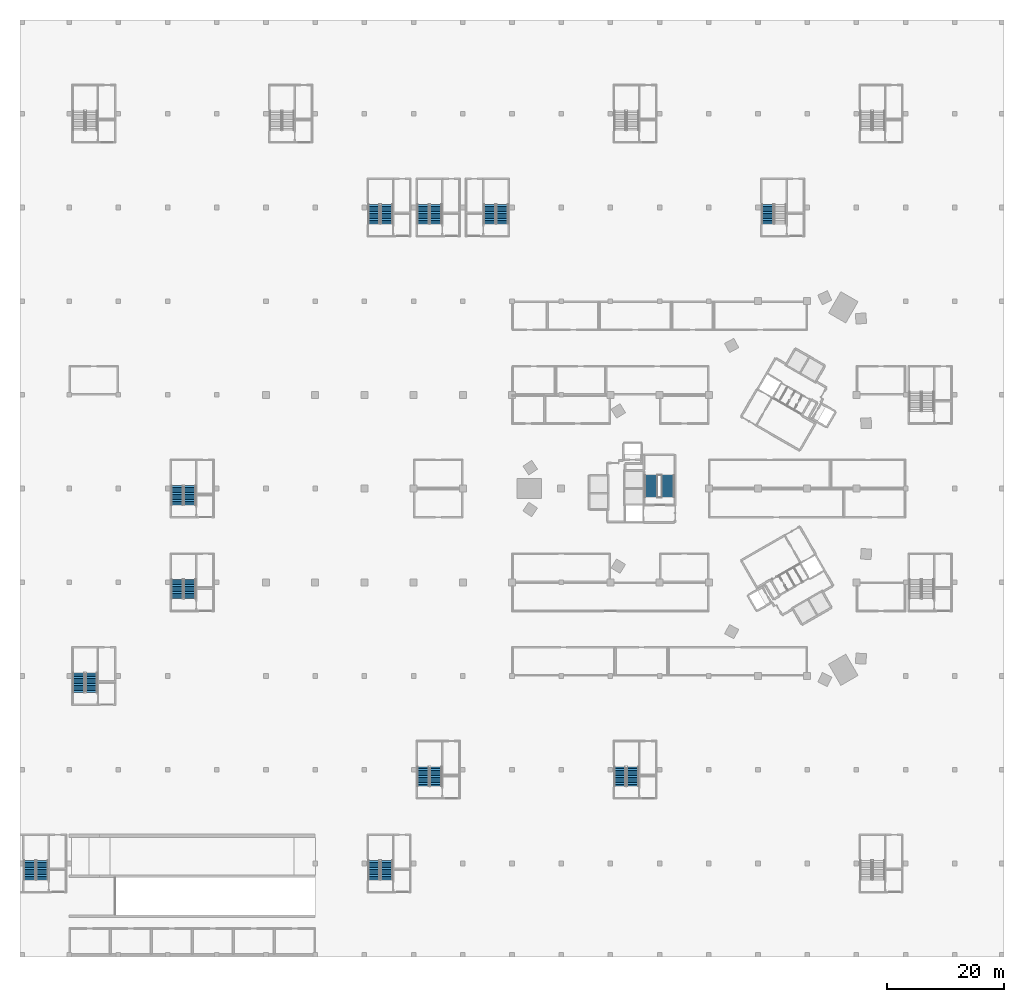
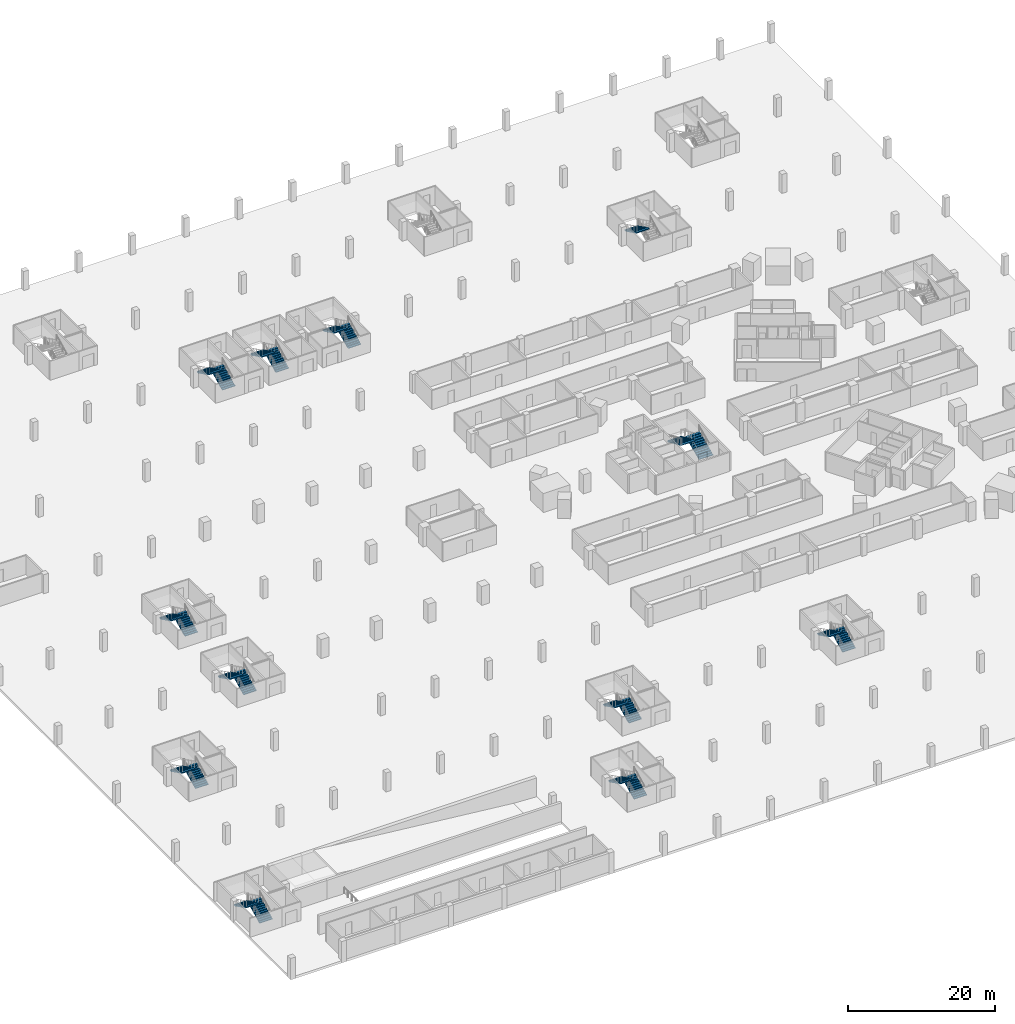
# One storey, part 17 of 37: 23 stair flights, 12 elements without a shape of their own.
"""IFC4 building model written with IfcOpenShell, lengths in metres."""

import ifcopenshell
import ifcopenshell.guid

model = None  # the IFC model being written
_history = None  # IfcOwnerHistory: only IFC2X3 demands one
_inside = {}  # id of a spatial element -> (the spatial element, [elements in it])
_under = {}  # id of a project, library or spatial element -> (it, [spatial elements below it])
_declared = {}  # id of a project -> (the project, [libraries it declares])
_typed = {}  # id of a type object -> (the type object, [elements of that type])
_made_of = {}  # id of a material, layer set ... -> (it, [elements and type objects made of it])


def new_model(schema):
    """Start an empty IFC model of exactly this schema.

    Asked for "IFC4X3", IfcOpenShell would pick the latest addendum, in which some entities
    have other attributes; the version numbers below select the first issue.
    IFC2X3 requires an IfcOwnerHistory on every rooted entity: one is made here for all.
    """
    global model, _history
    if schema == "IFC4X3":
        model = ifcopenshell.file(schema_version=(4, 3, 0, 0))
    else:
        model = ifcopenshell.file(schema=schema)
    _inside.clear()
    _under.clear()
    _declared.clear()
    _typed.clear()
    _made_of.clear()
    _history = None
    if model.schema == "IFC2X3":
        org = make("IfcOrganization", Name="unknown")
        user = make(
            "IfcPersonAndOrganization",
            ThePerson=make("IfcPerson", FamilyName="unknown"),
            TheOrganization=org,
        )
        app = make(
            "IfcApplication",
            ApplicationDeveloper=org,
            Version="unknown",
            ApplicationFullName="unknown",
            ApplicationIdentifier="unknown",
        )
        _history = make(
            "IfcOwnerHistory",
            OwningUser=user,
            OwningApplication=app,
            ChangeAction="ADDED",
            CreationDate=0,
        )
    return model


def make(cls, **values):
    """One entity of the class cls with the attributes given. An attribute that is None is left unset."""
    return model.create_entity(
        cls, **{name: value for name, value in values.items() if value is not None}
    )


def rooted(cls, **values):
    """An entity with a GlobalId (a new one), such as an element, a storey or a relation."""
    return make(cls, GlobalId=ifcopenshell.guid.new(), OwnerHistory=_history, **values)


def si_unit(unit_type, name, prefix=None):
    """IfcSIUnit, for example si_unit("LENGTHUNIT", "METRE", prefix="MILLI")."""
    return make("IfcSIUnit", UnitType=unit_type, Prefix=prefix, Name=name)


def assignment(units):
    """IfcUnitAssignment: the units of a project."""
    return None if units is None else make("IfcUnitAssignment", Units=units)


def point(xyz):
    """IfcCartesianPoint."""
    return None if xyz is None else make("IfcCartesianPoint", Coordinates=xyz)


def direction(xyz):
    """IfcDirection."""
    return None if xyz is None else make("IfcDirection", DirectionRatios=xyz)


def frame(location, z_axis=None, x_axis=None):
    """IfcAxis2Placement3D, a coordinate frame: its origin and axes. An axis left out is left unset."""
    return make(
        "IfcAxis2Placement3D",
        Location=point(location),
        Axis=direction(z_axis),
        RefDirection=direction(x_axis),
    )


def origin():
    """The frame at (0, 0, 0) with its axes left unset."""
    return frame((0.0, 0.0, 0.0))


def place(relative_to, where):
    """IfcLocalPlacement: puts the frame where relative to a parent placement (None: the world)."""
    return make(
        "IfcLocalPlacement", PlacementRelTo=relative_to, RelativePlacement=where
    )


def context(
    kind, dimensions, precision=None, world=None, true_north=None, identifier=None
):
    """IfcGeometricRepresentationContext, for example the 3D "Model" context."""
    return make(
        "IfcGeometricRepresentationContext",
        ContextIdentifier=identifier,
        ContextType=kind,
        CoordinateSpaceDimension=dimensions,
        Precision=precision,
        WorldCoordinateSystem=world,
        TrueNorth=true_north,
    )


def subcontext(parent, identifier, kind, view, scale=None):
    """IfcGeometricRepresentationSubContext, for example "Body" below "Model"."""
    return make(
        "IfcGeometricRepresentationSubContext",
        ContextIdentifier=identifier,
        ContextType=kind,
        ParentContext=parent,
        TargetScale=scale,
        TargetView=view,
    )


def project(units=None, contexts=None):
    """IfcProject with its units and contexts."""
    return rooted(
        "IfcProject",
        Name="project",
        RepresentationContexts=contexts,
        UnitsInContext=assignment(units),
    )


def spatial(cls, under=None, at=None, **own):
    """A site, building, storey or space (cls), placed at a placement, below another one or the project."""
    s = rooted(cls, ObjectPlacement=at, **own)
    if under is not None:
        _under.setdefault(under.id(), (under, []))[1].append(s)
    return s


def polyline(points):
    """IfcPolyline through the points."""
    return make("IfcPolyline", Points=[point(p) for p in points])


def outline(outer, holes=None, kind="AREA"):
    """IfcArbitraryClosedProfileDef: a profile drawn as a closed curve; with holes, ...WithVoids."""
    if holes is None:
        return make("IfcArbitraryClosedProfileDef", ProfileType=kind, OuterCurve=outer)
    return make(
        "IfcArbitraryProfileDefWithVoids",
        ProfileType=kind,
        OuterCurve=outer,
        InnerCurves=holes,
    )


def extrude(swept, where, along, depth):
    """IfcExtrudedAreaSolid: the profile swept, set in the frame where, extruded along a direction by depth."""
    return make(
        "IfcExtrudedAreaSolid",
        SweptArea=swept,
        Position=where,
        ExtrudedDirection=direction(along),
        Depth=depth,
    )


def shape(context_of_items, identifier, shape_type, items):
    """IfcShapeRepresentation: the items that make up one representation, for example the "Body"."""
    return make(
        "IfcShapeRepresentation",
        ContextOfItems=context_of_items,
        RepresentationIdentifier=identifier,
        RepresentationType=shape_type,
        Items=items,
    )


def material(Name=None, Category=None):
    """IfcMaterial."""
    return make("IfcMaterial", Name=Name, Category=Category)


def layer(
    of_material, thickness, ventilated=None, Name=None, Category=None, Priority=None
):
    """IfcMaterialLayer: one layer of a wall or slab, of a material (None: an air gap)."""
    return make(
        "IfcMaterialLayer",
        Material=of_material,
        LayerThickness=thickness,
        IsVentilated=ventilated,
        Name=Name,
        Category=Category,
        Priority=Priority,
    )


def layer_set(layers, Name=None):
    """IfcMaterialLayerSet."""
    return make("IfcMaterialLayerSet", MaterialLayers=layers, LayerSetName=Name)


def made_of(thing, what):
    """Note that an element or type object is made of a material, layer set ...; save() writes the relation."""
    if what is not None:
        _made_of.setdefault(what.id(), (what, []))[1].append(thing)
    return thing


def type_object(cls, material=None, **own):
    """A type object (cls), such as IfcWallType, which elements share."""
    return made_of(rooted(cls, **own), material)


def element(
    cls,
    number,
    at=None,
    inside=None,
    cuts=None,
    type_object=None,
    material=None,
    context=None,
    identifier="Body",
    shape_type=None,
    held_by="IfcProductDefinitionShape",
    body=None,
    shapes=None,
    **own,
):
    """One element of the class cls, such as IfcWall. Its Tag is "e" and its number.

    at: its placement. inside: the storey or other place that contains it. cuts: it is an
    opening in that element (IfcRelVoidsElement). A single representation is given by context,
    identifier, shape_type and body (its items); several are given by shapes. held_by: the class
    of the entity that holds the representations. save() writes the other relations.
    """
    e = rooted(cls, Tag="e%d" % number, ObjectPlacement=at, **own)
    if body is not None:
        shapes = [shape(context, identifier, shape_type, body)]
    if shapes is not None:
        e.Representation = make(held_by, Representations=shapes)
    if inside is not None:
        _inside.setdefault(inside.id(), (inside, []))[1].append(e)
    if cuts is not None:
        rooted(
            "IfcRelVoidsElement", RelatingBuildingElement=cuts, RelatedOpeningElement=e
        )
    if type_object is not None:
        _typed.setdefault(type_object.id(), (type_object, []))[1].append(e)
    return made_of(e, material)


def aggregate(whole, parts):
    """IfcRelAggregates: a whole, such as a stair, and the parts it consists of."""
    return rooted("IfcRelAggregates", RelatingObject=whole, RelatedObjects=parts)


def save(model, path):
    """Write the relations noted so far, then the file.

    IfcRelAggregates (storeys below a building ...), IfcRelContainedInSpatialStructure (elements
    in a storey), IfcRelDefinesByType, IfcRelAssociatesMaterial and IfcRelDeclares: one each for
    every whole, place, type object, material and project.
    """
    for whole, parts in _under.values():
        aggregate(whole, parts)
    for where, things in _inside.values():
        rooted(
            "IfcRelContainedInSpatialStructure",
            RelatedElements=things,
            RelatingStructure=where,
        )
    for kind, things in _typed.values():
        rooted("IfcRelDefinesByType", RelatedObjects=things, RelatingType=kind)
    for what, things in _made_of.values():
        rooted("IfcRelAssociatesMaterial", RelatedObjects=things, RelatingMaterial=what)
    for by, libraries in _declared.values():
        rooted("IfcRelDeclares", RelatingContext=by, RelatedDefinitions=libraries)
    model.write(path)


model = new_model("IFC4")

# Units and contexts
model_context = context("Model", 3, precision=1e-05, world=origin(), true_north=direction((0.0, 1.0)))
body_context = subcontext(model_context, "Body", "Model", "MODEL_VIEW")
ifc_project = project(units=[si_unit("LENGTHUNIT", "METRE"), si_unit("AREAUNIT", "SQUARE_METRE"), si_unit("VOLUMEUNIT", "CUBIC_METRE"), si_unit("PLANEANGLEUNIT", "RADIAN"), si_unit("MASSUNIT", "GRAM", prefix="KILO")], contexts=[model_context])

# Site, building, storey
site_placement = place(None, origin())
site = spatial("IfcSite", under=ifc_project, at=site_placement, CompositionType="ELEMENT")
building_placement = place(site_placement, origin())
building = spatial("IfcBuilding", under=site, at=building_placement, Name="Tamra Quay Hotel Tower", CompositionType="ELEMENT")
storey_placement = place(building_placement, frame((0.0, 0.0, -3.60009765625)))
storey = spatial("IfcBuildingStorey", under=building, at=storey_placement, Name="B1", CompositionType="ELEMENT", Elevation=-3.60009765625)

# Stair, stair flights
ifc_material_1 = material(Name="Basement exit stair")
stair_type_1 = type_object("IfcStairType", Name="Basement exit stair", PredefinedType="HALF_TURN_STAIR", material=ifc_material_1)
stair_1_placement = place(storey_placement, origin())
stair_1 = element("IfcStair", 1, at=stair_1_placement, inside=storey, type_object=stair_type_1, Name="B1 Basement Exit Stair BS1", PredefinedType="HALF_TURN_STAIR")
ifc_material_2 = material(Name="Concrete M60", Category="concrete")
ifc_layer = layer(ifc_material_2, 0.14990234375)
ifc_layer_set = layer_set([ifc_layer], Name="Concrete M60 basement stair flight 150")
stair_flight_type_1 = type_object("IfcStairFlightType", Name="Concrete M60 basement stair flight 150", PredefinedType="STRAIGHT", material=ifc_layer_set)
stair_flight_1_placement = place(storey_placement, frame((-110.5, -34.800048828125, 0.0), z_axis=(0.0, 0.0, 1.0), x_axis=(0.0, 1.0, 0.0)))
stair_flight_1 = element("IfcStairFlight", 2, at=stair_flight_1_placement, type_object=stair_flight_type_1, Name="BS1 flight 1", NumberOfRisers=12, NumberOfTreads=11, PredefinedType="STRAIGHT", RiserHeight=0.15, TreadLength=0.3, context=body_context, shape_type="SweptSolid", body=[
    extrude(outline(polyline([(0.0, 0.0), (0.0, 0.14990234375), (0.300048828125, 0.14990234375), (0.300048828125, 0.300048828125), (0.60009765625, 0.300048828125), (0.60009765625, 0.449951171875), (0.89990234375, 0.449951171875), (0.89990234375, 0.60009765625), (1.199951171875, 0.60009765625), (1.199951171875, 0.75), (1.5, 0.75), (1.5, 0.89990234375), (1.800048828125, 0.89990234375), (1.800048828125, 1.050048828125), (2.10009765625, 1.050048828125), (2.10009765625, 1.199951171875), (2.39990234375, 1.199951171875), (2.39990234375, 1.35009765625), (2.699951171875, 1.35009765625), (2.699951171875, 1.5), (3.0, 1.5), (3.0, 1.64990234375), (3.300048828125, 1.64990234375), (3.300048828125, 1.800048828125), (3.300048828125, 1.482421875), (0.335205078125, 0.0), (0.0, 0.0)])), frame((0.0, 1.0, 0.0), z_axis=(0.0, -1.0, 0.0), x_axis=(1.0, 0.0, 0.0)), (0.0, 0.0, 1.0), 2.0),
])
stair_flight_2_placement = place(storey_placement, frame((-112.64990234375, -31.5, 1.800048828125), z_axis=(0.0, 0.0, 1.0), x_axis=(0.0, -1.0, 0.0)))
stair_flight_2 = element("IfcStairFlight", 3, at=stair_flight_2_placement, type_object=stair_flight_type_1, Name="BS1 flight 2", NumberOfRisers=12, NumberOfTreads=11, PredefinedType="STRAIGHT", RiserHeight=0.15, TreadLength=0.3, context=body_context, shape_type="SweptSolid", body=[
    extrude(outline(polyline([(0.0, 0.0), (0.0, 0.14990234375), (0.300048828125, 0.14990234375), (0.300048828125, 0.300048828125), (0.60009765625, 0.300048828125), (0.60009765625, 0.449951171875), (0.89990234375, 0.449951171875), (0.89990234375, 0.60009765625), (1.199951171875, 0.60009765625), (1.199951171875, 0.75), (1.5, 0.75), (1.5, 0.89990234375), (1.800048828125, 0.89990234375), (1.800048828125, 1.050048828125), (2.10009765625, 1.050048828125), (2.10009765625, 1.199951171875), (2.39990234375, 1.199951171875), (2.39990234375, 1.35009765625), (2.699951171875, 1.35009765625), (2.699951171875, 1.5), (3.0, 1.5), (3.0, 1.64990234375), (3.300048828125, 1.64990234375), (3.300048828125, 1.800048828125), (3.300048828125, 1.482421875), (0.335205078125, 0.0), (0.0, 0.0)])), frame((0.0, 1.0, 0.0), z_axis=(0.0, -1.0, 0.0), x_axis=(1.0, 0.0, 0.0)), (0.0, 0.0, 1.0), 2.0),
])
aggregate(stair_1, [stair_flight_1, stair_flight_2])

stair_2_placement = place(storey_placement, origin())
stair_2 = element("IfcStair", 4, at=stair_2_placement, inside=storey, type_object=stair_type_1, Name="B1 Basement Exit Stair BS3", PredefinedType="HALF_TURN_STAIR")
stair_flight_3_placement = place(storey_placement, frame((-93.699951171875, -18.800048828125, 0.0), z_axis=(0.0, 0.0, 1.0), x_axis=(0.0, 1.0, 0.0)))
stair_flight_3 = element("IfcStairFlight", 5, at=stair_flight_3_placement, type_object=stair_flight_type_1, Name="BS3 flight 1", NumberOfRisers=12, NumberOfTreads=11, PredefinedType="STRAIGHT", RiserHeight=0.15, TreadLength=0.3, context=body_context, shape_type="SweptSolid", body=[
    extrude(outline(polyline([(0.0, 0.0), (0.0, 0.14990234375), (0.300048828125, 0.14990234375), (0.300048828125, 0.300048828125), (0.60009765625, 0.300048828125), (0.60009765625, 0.449951171875), (0.89990234375, 0.449951171875), (0.89990234375, 0.60009765625), (1.199951171875, 0.60009765625), (1.199951171875, 0.75), (1.5, 0.75), (1.5, 0.89990234375), (1.800048828125, 0.89990234375), (1.800048828125, 1.050048828125), (2.10009765625, 1.050048828125), (2.10009765625, 1.199951171875), (2.39990234375, 1.199951171875), (2.39990234375, 1.35009765625), (2.699951171875, 1.35009765625), (2.699951171875, 1.5), (3.0, 1.5), (3.0, 1.64990234375), (3.300048828125, 1.64990234375), (3.300048828125, 1.800048828125), (3.300048828125, 1.482421875), (0.335205078125, 0.0), (0.0, 0.0)])), frame((0.0, 1.0, 0.0), z_axis=(0.0, -1.0, 0.0), x_axis=(1.0, 0.0, 0.0)), (0.0, 0.0, 1.0), 2.0),
])
stair_flight_4_placement = place(storey_placement, frame((-95.85009765625, -15.5, 1.800048828125), z_axis=(0.0, 0.0, 1.0), x_axis=(0.0, -1.0, 0.0)))
stair_flight_4 = element("IfcStairFlight", 6, at=stair_flight_4_placement, type_object=stair_flight_type_1, Name="BS3 flight 2", NumberOfRisers=12, NumberOfTreads=11, PredefinedType="STRAIGHT", RiserHeight=0.15, TreadLength=0.3, context=body_context, shape_type="SweptSolid", body=[
    extrude(outline(polyline([(0.0, 0.0), (0.0, 0.14990234375), (0.300048828125, 0.14990234375), (0.300048828125, 0.300048828125), (0.60009765625, 0.300048828125), (0.60009765625, 0.449951171875), (0.89990234375, 0.449951171875), (0.89990234375, 0.60009765625), (1.199951171875, 0.60009765625), (1.199951171875, 0.75), (1.5, 0.75), (1.5, 0.89990234375), (1.800048828125, 0.89990234375), (1.800048828125, 1.050048828125), (2.10009765625, 1.050048828125), (2.10009765625, 1.199951171875), (2.39990234375, 1.199951171875), (2.39990234375, 1.35009765625), (2.699951171875, 1.35009765625), (2.699951171875, 1.5), (3.0, 1.5), (3.0, 1.64990234375), (3.300048828125, 1.64990234375), (3.300048828125, 1.800048828125), (3.300048828125, 1.482421875), (0.335205078125, 0.0), (0.0, 0.0)])), frame((0.0, 1.0, 0.0), z_axis=(0.0, -1.0, 0.0), x_axis=(1.0, 0.0, 0.0)), (0.0, 0.0, 1.0), 2.0),
])
aggregate(stair_2, [stair_flight_3, stair_flight_4])

stair_3_placement = place(storey_placement, origin())
stair_3 = element("IfcStair", 7, at=stair_3_placement, inside=storey, type_object=stair_type_1, Name="B1 Basement Exit Stair BS4", PredefinedType="HALF_TURN_STAIR")
stair_flight_5_placement = place(storey_placement, frame((-93.699951171875, -2.800048828125, 0.0), z_axis=(0.0, 0.0, 1.0), x_axis=(0.0, 1.0, 0.0)))
stair_flight_5 = element("IfcStairFlight", 8, at=stair_flight_5_placement, type_object=stair_flight_type_1, Name="BS4 flight 1", NumberOfRisers=12, NumberOfTreads=11, PredefinedType="STRAIGHT", RiserHeight=0.15, TreadLength=0.3, context=body_context, shape_type="SweptSolid", body=[
    extrude(outline(polyline([(0.0, 0.0), (0.0, 0.14990234375), (0.300048828125, 0.14990234375), (0.300048828125, 0.300048828125), (0.60009765625, 0.300048828125), (0.60009765625, 0.449951171875), (0.89990234375, 0.449951171875), (0.89990234375, 0.60009765625), (1.199951171875, 0.60009765625), (1.199951171875, 0.75), (1.5, 0.75), (1.5, 0.89990234375), (1.800048828125, 0.89990234375), (1.800048828125, 1.050048828125), (2.10009765625, 1.050048828125), (2.10009765625, 1.199951171875), (2.39990234375, 1.199951171875), (2.39990234375, 1.35009765625), (2.699951171875, 1.35009765625), (2.699951171875, 1.5), (3.0, 1.5), (3.0, 1.64990234375), (3.300048828125, 1.64990234375), (3.300048828125, 1.800048828125), (3.300048828125, 1.482421875), (0.335205078125, 0.0), (0.0, 0.0)])), frame((0.0, 1.0, 0.0), z_axis=(0.0, -1.0, 0.0), x_axis=(1.0, 0.0, 0.0)), (0.0, 0.0, 1.0), 2.0),
])
stair_flight_6_placement = place(storey_placement, frame((-95.85009765625, 0.5, 1.800048828125), z_axis=(0.0, 0.0, 1.0), x_axis=(0.0, -1.0, 0.0)))
stair_flight_6 = element("IfcStairFlight", 9, at=stair_flight_6_placement, type_object=stair_flight_type_1, Name="BS4 flight 2", NumberOfRisers=12, NumberOfTreads=11, PredefinedType="STRAIGHT", RiserHeight=0.15, TreadLength=0.3, context=body_context, shape_type="SweptSolid", body=[
    extrude(outline(polyline([(0.0, 0.0), (0.0, 0.14990234375), (0.300048828125, 0.14990234375), (0.300048828125, 0.300048828125), (0.60009765625, 0.300048828125), (0.60009765625, 0.449951171875), (0.89990234375, 0.449951171875), (0.89990234375, 0.60009765625), (1.199951171875, 0.60009765625), (1.199951171875, 0.75), (1.5, 0.75), (1.5, 0.89990234375), (1.800048828125, 0.89990234375), (1.800048828125, 1.050048828125), (2.10009765625, 1.050048828125), (2.10009765625, 1.199951171875), (2.39990234375, 1.199951171875), (2.39990234375, 1.35009765625), (2.699951171875, 1.35009765625), (2.699951171875, 1.5), (3.0, 1.5), (3.0, 1.64990234375), (3.300048828125, 1.64990234375), (3.300048828125, 1.800048828125), (3.300048828125, 1.482421875), (0.335205078125, 0.0), (0.0, 0.0)])), frame((0.0, 1.0, 0.0), z_axis=(0.0, -1.0, 0.0), x_axis=(1.0, 0.0, 0.0)), (0.0, 0.0, 1.0), 2.0),
])
aggregate(stair_3, [stair_flight_5, stair_flight_6])

stair_4_placement = place(storey_placement, origin())
stair_4 = element("IfcStair", 10, at=stair_4_placement, inside=storey, type_object=stair_type_1, Name="B1 Basement Exit Stair BS6", PredefinedType="HALF_TURN_STAIR")
stair_flight_7_placement = place(storey_placement, frame((-60.10009765625, -66.800048828125, 0.0), z_axis=(0.0, 0.0, 1.0), x_axis=(0.0, 1.0, 0.0)))
stair_flight_7 = element("IfcStairFlight", 11, at=stair_flight_7_placement, type_object=stair_flight_type_1, Name="BS6 flight 1", NumberOfRisers=12, NumberOfTreads=11, PredefinedType="STRAIGHT", RiserHeight=0.15, TreadLength=0.3, context=body_context, shape_type="SweptSolid", body=[
    extrude(outline(polyline([(0.0, 0.0), (0.0, 0.14990234375), (0.300048828125, 0.14990234375), (0.300048828125, 0.300048828125), (0.60009765625, 0.300048828125), (0.60009765625, 0.449951171875), (0.89990234375, 0.449951171875), (0.89990234375, 0.60009765625), (1.199951171875, 0.60009765625), (1.199951171875, 0.75), (1.5, 0.75), (1.5, 0.89990234375), (1.800048828125, 0.89990234375), (1.800048828125, 1.050048828125), (2.10009765625, 1.050048828125), (2.10009765625, 1.199951171875), (2.39990234375, 1.199951171875), (2.39990234375, 1.35009765625), (2.699951171875, 1.35009765625), (2.699951171875, 1.5), (3.0, 1.5), (3.0, 1.64990234375), (3.300048828125, 1.64990234375), (3.300048828125, 1.800048828125), (3.300048828125, 1.482421875), (0.335205078125, 0.0), (0.0, 0.0)])), frame((0.0, 1.0, 0.0), z_axis=(0.0, -1.0, 0.0), x_axis=(1.0, 0.0, 0.0)), (0.0, 0.0, 1.0), 2.0),
])
stair_flight_8_placement = place(storey_placement, frame((-62.25, -63.5, 1.800048828125), z_axis=(0.0, 0.0, 1.0), x_axis=(0.0, -1.0, 0.0)))
stair_flight_8 = element("IfcStairFlight", 12, at=stair_flight_8_placement, type_object=stair_flight_type_1, Name="BS6 flight 2", NumberOfRisers=12, NumberOfTreads=11, PredefinedType="STRAIGHT", RiserHeight=0.15, TreadLength=0.3, context=body_context, shape_type="SweptSolid", body=[
    extrude(outline(polyline([(0.0, 0.0), (0.0, 0.14990234375), (0.300048828125, 0.14990234375), (0.300048828125, 0.300048828125), (0.60009765625, 0.300048828125), (0.60009765625, 0.449951171875), (0.89990234375, 0.449951171875), (0.89990234375, 0.60009765625), (1.199951171875, 0.60009765625), (1.199951171875, 0.75), (1.5, 0.75), (1.5, 0.89990234375), (1.800048828125, 0.89990234375), (1.800048828125, 1.050048828125), (2.10009765625, 1.050048828125), (2.10009765625, 1.199951171875), (2.39990234375, 1.199951171875), (2.39990234375, 1.35009765625), (2.699951171875, 1.35009765625), (2.699951171875, 1.5), (3.0, 1.5), (3.0, 1.64990234375), (3.300048828125, 1.64990234375), (3.300048828125, 1.800048828125), (3.300048828125, 1.482421875), (0.335205078125, 0.0), (0.0, 0.0)])), frame((0.0, 1.0, 0.0), z_axis=(0.0, -1.0, 0.0), x_axis=(1.0, 0.0, 0.0)), (0.0, 0.0, 1.0), 2.0),
])
aggregate(stair_4, [stair_flight_7, stair_flight_8])

stair_5_placement = place(storey_placement, origin())
stair_5 = element("IfcStair", 13, at=stair_5_placement, inside=storey, type_object=stair_type_1, Name="B1 Basement Exit Stair BS7", PredefinedType="HALF_TURN_STAIR")
stair_flight_9_placement = place(storey_placement, frame((-60.10009765625, 45.199951171875, 0.0), z_axis=(0.0, 0.0, 1.0), x_axis=(0.0, 1.0, 0.0)))
stair_flight_9 = element("IfcStairFlight", 14, at=stair_flight_9_placement, type_object=stair_flight_type_1, Name="BS7 flight 1", NumberOfRisers=12, NumberOfTreads=11, PredefinedType="STRAIGHT", RiserHeight=0.15, TreadLength=0.3, context=body_context, shape_type="SweptSolid", body=[
    extrude(outline(polyline([(0.0, 0.0), (0.0, 0.14990234375), (0.300048828125, 0.14990234375), (0.300048828125, 0.300048828125), (0.60009765625, 0.300048828125), (0.60009765625, 0.449951171875), (0.89990234375, 0.449951171875), (0.89990234375, 0.60009765625), (1.199951171875, 0.60009765625), (1.199951171875, 0.75), (1.5, 0.75), (1.5, 0.89990234375), (1.800048828125, 0.89990234375), (1.800048828125, 1.050048828125), (2.10009765625, 1.050048828125), (2.10009765625, 1.199951171875), (2.39990234375, 1.199951171875), (2.39990234375, 1.35009765625), (2.699951171875, 1.35009765625), (2.699951171875, 1.5), (3.0, 1.5), (3.0, 1.64990234375), (3.300048828125, 1.64990234375), (3.300048828125, 1.800048828125), (3.300048828125, 1.482421875), (0.335205078125, 0.0), (0.0, 0.0)])), frame((0.0, 1.0, 0.0), z_axis=(0.0, -1.0, 0.0), x_axis=(1.0, 0.0, 0.0)), (0.0, 0.0, 1.0), 2.0),
])
stair_flight_10_placement = place(storey_placement, frame((-62.25, 48.5, 1.800048828125), z_axis=(0.0, 0.0, 1.0), x_axis=(0.0, -1.0, 0.0)))
stair_flight_10 = element("IfcStairFlight", 15, at=stair_flight_10_placement, type_object=stair_flight_type_1, Name="BS7 flight 2", NumberOfRisers=12, NumberOfTreads=11, PredefinedType="STRAIGHT", RiserHeight=0.15, TreadLength=0.3, context=body_context, shape_type="SweptSolid", body=[
    extrude(outline(polyline([(0.0, 0.0), (0.0, 0.14990234375), (0.300048828125, 0.14990234375), (0.300048828125, 0.300048828125), (0.60009765625, 0.300048828125), (0.60009765625, 0.449951171875), (0.89990234375, 0.449951171875), (0.89990234375, 0.60009765625), (1.199951171875, 0.60009765625), (1.199951171875, 0.75), (1.5, 0.75), (1.5, 0.89990234375), (1.800048828125, 0.89990234375), (1.800048828125, 1.050048828125), (2.10009765625, 1.050048828125), (2.10009765625, 1.199951171875), (2.39990234375, 1.199951171875), (2.39990234375, 1.35009765625), (2.699951171875, 1.35009765625), (2.699951171875, 1.5), (3.0, 1.5), (3.0, 1.64990234375), (3.300048828125, 1.64990234375), (3.300048828125, 1.800048828125), (3.300048828125, 1.482421875), (0.335205078125, 0.0), (0.0, 0.0)])), frame((0.0, 1.0, 0.0), z_axis=(0.0, -1.0, 0.0), x_axis=(1.0, 0.0, 0.0)), (0.0, 0.0, 1.0), 2.0),
])
aggregate(stair_5, [stair_flight_9, stair_flight_10])

stair_6_placement = place(storey_placement, origin())
stair_6 = element("IfcStair", 16, at=stair_6_placement, inside=storey, type_object=stair_type_1, Name="B1 Basement Exit Stair BS8", PredefinedType="HALF_TURN_STAIR")
stair_flight_11_placement = place(storey_placement, frame((-51.699951171875, -50.800048828125, 0.0), z_axis=(0.0, 0.0, 1.0), x_axis=(0.0, 1.0, 0.0)))
stair_flight_11 = element("IfcStairFlight", 17, at=stair_flight_11_placement, type_object=stair_flight_type_1, Name="BS8 flight 1", NumberOfRisers=12, NumberOfTreads=11, PredefinedType="STRAIGHT", RiserHeight=0.15, TreadLength=0.3, context=body_context, shape_type="SweptSolid", body=[
    extrude(outline(polyline([(0.0, 0.0), (0.0, 0.14990234375), (0.300048828125, 0.14990234375), (0.300048828125, 0.300048828125), (0.60009765625, 0.300048828125), (0.60009765625, 0.449951171875), (0.89990234375, 0.449951171875), (0.89990234375, 0.60009765625), (1.199951171875, 0.60009765625), (1.199951171875, 0.75), (1.5, 0.75), (1.5, 0.89990234375), (1.800048828125, 0.89990234375), (1.800048828125, 1.050048828125), (2.10009765625, 1.050048828125), (2.10009765625, 1.199951171875), (2.39990234375, 1.199951171875), (2.39990234375, 1.35009765625), (2.699951171875, 1.35009765625), (2.699951171875, 1.5), (3.0, 1.5), (3.0, 1.64990234375), (3.300048828125, 1.64990234375), (3.300048828125, 1.800048828125), (3.300048828125, 1.482421875), (0.335205078125, 0.0), (0.0, 0.0)])), frame((0.0, 1.0, 0.0), z_axis=(0.0, -1.0, 0.0), x_axis=(1.0, 0.0, 0.0)), (0.0, 0.0, 1.0), 2.0),
])
stair_flight_12_placement = place(storey_placement, frame((-53.85009765625, -47.5, 1.800048828125), z_axis=(0.0, 0.0, 1.0), x_axis=(0.0, -1.0, 0.0)))
stair_flight_12 = element("IfcStairFlight", 18, at=stair_flight_12_placement, type_object=stair_flight_type_1, Name="BS8 flight 2", NumberOfRisers=12, NumberOfTreads=11, PredefinedType="STRAIGHT", RiserHeight=0.15, TreadLength=0.3, context=body_context, shape_type="SweptSolid", body=[
    extrude(outline(polyline([(0.0, 0.0), (0.0, 0.14990234375), (0.300048828125, 0.14990234375), (0.300048828125, 0.300048828125), (0.60009765625, 0.300048828125), (0.60009765625, 0.449951171875), (0.89990234375, 0.449951171875), (0.89990234375, 0.60009765625), (1.199951171875, 0.60009765625), (1.199951171875, 0.75), (1.5, 0.75), (1.5, 0.89990234375), (1.800048828125, 0.89990234375), (1.800048828125, 1.050048828125), (2.10009765625, 1.050048828125), (2.10009765625, 1.199951171875), (2.39990234375, 1.199951171875), (2.39990234375, 1.35009765625), (2.699951171875, 1.35009765625), (2.699951171875, 1.5), (3.0, 1.5), (3.0, 1.64990234375), (3.300048828125, 1.64990234375), (3.300048828125, 1.800048828125), (3.300048828125, 1.482421875), (0.335205078125, 0.0), (0.0, 0.0)])), frame((0.0, 1.0, 0.0), z_axis=(0.0, -1.0, 0.0), x_axis=(1.0, 0.0, 0.0)), (0.0, 0.0, 1.0), 2.0),
])
aggregate(stair_6, [stair_flight_11, stair_flight_12])

stair_7_placement = place(storey_placement, origin())
stair_7 = element("IfcStair", 19, at=stair_7_placement, inside=storey, type_object=stair_type_1, Name="B1 Basement Exit Stair BS9", PredefinedType="HALF_TURN_STAIR")
stair_flight_13_placement = place(storey_placement, frame((-51.699951171875, 45.199951171875, 0.0), z_axis=(0.0, 0.0, 1.0), x_axis=(0.0, 1.0, 0.0)))
stair_flight_13 = element("IfcStairFlight", 20, at=stair_flight_13_placement, type_object=stair_flight_type_1, Name="BS9 flight 1", NumberOfRisers=12, NumberOfTreads=11, PredefinedType="STRAIGHT", RiserHeight=0.15, TreadLength=0.3, context=body_context, shape_type="SweptSolid", body=[
    extrude(outline(polyline([(0.0, 0.0), (0.0, 0.14990234375), (0.300048828125, 0.14990234375), (0.300048828125, 0.300048828125), (0.60009765625, 0.300048828125), (0.60009765625, 0.449951171875), (0.89990234375, 0.449951171875), (0.89990234375, 0.60009765625), (1.199951171875, 0.60009765625), (1.199951171875, 0.75), (1.5, 0.75), (1.5, 0.89990234375), (1.800048828125, 0.89990234375), (1.800048828125, 1.050048828125), (2.10009765625, 1.050048828125), (2.10009765625, 1.199951171875), (2.39990234375, 1.199951171875), (2.39990234375, 1.35009765625), (2.699951171875, 1.35009765625), (2.699951171875, 1.5), (3.0, 1.5), (3.0, 1.64990234375), (3.300048828125, 1.64990234375), (3.300048828125, 1.800048828125), (3.300048828125, 1.482421875), (0.335205078125, 0.0), (0.0, 0.0)])), frame((0.0, 1.0, 0.0), z_axis=(0.0, -1.0, 0.0), x_axis=(1.0, 0.0, 0.0)), (0.0, 0.0, 1.0), 2.0),
])
stair_flight_14_placement = place(storey_placement, frame((-53.85009765625, 48.5, 1.800048828125), z_axis=(0.0, 0.0, 1.0), x_axis=(0.0, -1.0, 0.0)))
stair_flight_14 = element("IfcStairFlight", 21, at=stair_flight_14_placement, type_object=stair_flight_type_1, Name="BS9 flight 2", NumberOfRisers=12, NumberOfTreads=11, PredefinedType="STRAIGHT", RiserHeight=0.15, TreadLength=0.3, context=body_context, shape_type="SweptSolid", body=[
    extrude(outline(polyline([(0.0, 0.0), (0.0, 0.14990234375), (0.300048828125, 0.14990234375), (0.300048828125, 0.300048828125), (0.60009765625, 0.300048828125), (0.60009765625, 0.449951171875), (0.89990234375, 0.449951171875), (0.89990234375, 0.60009765625), (1.199951171875, 0.60009765625), (1.199951171875, 0.75), (1.5, 0.75), (1.5, 0.89990234375), (1.800048828125, 0.89990234375), (1.800048828125, 1.050048828125), (2.10009765625, 1.050048828125), (2.10009765625, 1.199951171875), (2.39990234375, 1.199951171875), (2.39990234375, 1.35009765625), (2.699951171875, 1.35009765625), (2.699951171875, 1.5), (3.0, 1.5), (3.0, 1.64990234375), (3.300048828125, 1.64990234375), (3.300048828125, 1.800048828125), (3.300048828125, 1.482421875), (0.335205078125, 0.0), (0.0, 0.0)])), frame((0.0, 1.0, 0.0), z_axis=(0.0, -1.0, 0.0), x_axis=(1.0, 0.0, 0.0)), (0.0, 0.0, 1.0), 2.0),
])
aggregate(stair_7, [stair_flight_13, stair_flight_14])

stair_8_placement = place(storey_placement, origin())
stair_8 = element("IfcStair", 22, at=stair_8_placement, inside=storey, type_object=stair_type_1, Name="B1 Basement Exit Stair BS10", PredefinedType="HALF_TURN_STAIR")
stair_flight_15_placement = place(storey_placement, frame((-18.10009765625, -50.800048828125, 0.0), z_axis=(0.0, 0.0, 1.0), x_axis=(0.0, 1.0, 0.0)))
stair_flight_15 = element("IfcStairFlight", 23, at=stair_flight_15_placement, type_object=stair_flight_type_1, Name="BS10 flight 1", NumberOfRisers=12, NumberOfTreads=11, PredefinedType="STRAIGHT", RiserHeight=0.15, TreadLength=0.3, context=body_context, shape_type="SweptSolid", body=[
    extrude(outline(polyline([(0.0, 0.0), (0.0, 0.14990234375), (0.300048828125, 0.14990234375), (0.300048828125, 0.300048828125), (0.60009765625, 0.300048828125), (0.60009765625, 0.449951171875), (0.89990234375, 0.449951171875), (0.89990234375, 0.60009765625), (1.199951171875, 0.60009765625), (1.199951171875, 0.75), (1.5, 0.75), (1.5, 0.89990234375), (1.800048828125, 0.89990234375), (1.800048828125, 1.050048828125), (2.10009765625, 1.050048828125), (2.10009765625, 1.199951171875), (2.39990234375, 1.199951171875), (2.39990234375, 1.35009765625), (2.699951171875, 1.35009765625), (2.699951171875, 1.5), (3.0, 1.5), (3.0, 1.64990234375), (3.300048828125, 1.64990234375), (3.300048828125, 1.800048828125), (3.300048828125, 1.482421875), (0.335205078125, 0.0), (0.0, 0.0)])), frame((0.0, 1.0, 0.0), z_axis=(0.0, -1.0, 0.0), x_axis=(1.0, 0.0, 0.0)), (0.0, 0.0, 1.0), 2.0),
])
stair_flight_16_placement = place(storey_placement, frame((-20.25, -47.5, 1.800048828125), z_axis=(0.0, 0.0, 1.0), x_axis=(0.0, -1.0, 0.0)))
stair_flight_16 = element("IfcStairFlight", 24, at=stair_flight_16_placement, type_object=stair_flight_type_1, Name="BS10 flight 2", NumberOfRisers=12, NumberOfTreads=11, PredefinedType="STRAIGHT", RiserHeight=0.15, TreadLength=0.3, context=body_context, shape_type="SweptSolid", body=[
    extrude(outline(polyline([(0.0, 0.0), (0.0, 0.14990234375), (0.300048828125, 0.14990234375), (0.300048828125, 0.300048828125), (0.60009765625, 0.300048828125), (0.60009765625, 0.449951171875), (0.89990234375, 0.449951171875), (0.89990234375, 0.60009765625), (1.199951171875, 0.60009765625), (1.199951171875, 0.75), (1.5, 0.75), (1.5, 0.89990234375), (1.800048828125, 0.89990234375), (1.800048828125, 1.050048828125), (2.10009765625, 1.050048828125), (2.10009765625, 1.199951171875), (2.39990234375, 1.199951171875), (2.39990234375, 1.35009765625), (2.699951171875, 1.35009765625), (2.699951171875, 1.5), (3.0, 1.5), (3.0, 1.64990234375), (3.300048828125, 1.64990234375), (3.300048828125, 1.800048828125), (3.300048828125, 1.482421875), (0.335205078125, 0.0), (0.0, 0.0)])), frame((0.0, 1.0, 0.0), z_axis=(0.0, -1.0, 0.0), x_axis=(1.0, 0.0, 0.0)), (0.0, 0.0, 1.0), 2.0),
])
aggregate(stair_8, [stair_flight_15, stair_flight_16])

# Stair, stair flight
stair_9_placement = place(storey_placement, origin())
stair_9 = element("IfcStair", 25, at=stair_9_placement, inside=storey, type_object=stair_type_1, Name="B1 Basement Exit Stair BS12", PredefinedType="HALF_TURN_STAIR")
stair_flight_17_placement = place(storey_placement, frame((4.949951171875, 48.5, 1.800048828125), z_axis=(0.0, 0.0, 1.0), x_axis=(0.0, -1.0, 0.0)))
stair_flight_17 = element("IfcStairFlight", 26, at=stair_flight_17_placement, type_object=stair_flight_type_1, Name="BS12 flight 2", NumberOfRisers=12, NumberOfTreads=11, PredefinedType="STRAIGHT", RiserHeight=0.15, TreadLength=0.3, context=body_context, shape_type="SweptSolid", body=[
    extrude(outline(polyline([(0.0, 0.0), (0.0, 0.14990234375), (0.300048828125, 0.14990234375), (0.300048828125, 0.300048828125), (0.60009765625, 0.300048828125), (0.60009765625, 0.449951171875), (0.89990234375, 0.449951171875), (0.89990234375, 0.60009765625), (1.199951171875, 0.60009765625), (1.199951171875, 0.75), (1.5, 0.75), (1.5, 0.89990234375), (1.800048828125, 0.89990234375), (1.800048828125, 1.050048828125), (2.10009765625, 1.050048828125), (2.10009765625, 1.199951171875), (2.39990234375, 1.199951171875), (2.39990234375, 1.35009765625), (2.699951171875, 1.35009765625), (2.699951171875, 1.5), (3.0, 1.5), (3.0, 1.64990234375), (3.300048828125, 1.64990234375), (3.300048828125, 1.800048828125), (3.300048828125, 1.482421875), (0.335205078125, 0.0), (0.0, 0.0)])), frame((0.0, 1.0, 0.0), z_axis=(0.0, -1.0, 0.0), x_axis=(1.0, 0.0, 0.0)), (0.0, 0.0, 1.0), 2.0),
])
aggregate(stair_9, [stair_flight_17])

# Stair, stair flights
stair_10_placement = place(storey_placement, origin())
stair_10 = element("IfcStair", 27, at=stair_10_placement, inside=storey, type_object=stair_type_1, Name="B1 Basement Exit Stair BS17", PredefinedType="HALF_TURN_STAIR")
stair_flight_18_placement = place(storey_placement, frame((-40.35009765625, 45.199951171875, 0.0), z_axis=(0.0, 0.0, 1.0), x_axis=(0.0, 1.0, 0.0)))
stair_flight_18 = element("IfcStairFlight", 28, at=stair_flight_18_placement, type_object=stair_flight_type_1, Name="BS17 flight 1", NumberOfRisers=12, NumberOfTreads=11, PredefinedType="STRAIGHT", RiserHeight=0.15, TreadLength=0.3, context=body_context, shape_type="SweptSolid", body=[
    extrude(outline(polyline([(0.0, 0.0), (0.0, 0.14990234375), (0.300048828125, 0.14990234375), (0.300048828125, 0.300048828125), (0.60009765625, 0.300048828125), (0.60009765625, 0.449951171875), (0.89990234375, 0.449951171875), (0.89990234375, 0.60009765625), (1.199951171875, 0.60009765625), (1.199951171875, 0.75), (1.5, 0.75), (1.5, 0.89990234375), (1.800048828125, 0.89990234375), (1.800048828125, 1.050048828125), (2.10009765625, 1.050048828125), (2.10009765625, 1.199951171875), (2.39990234375, 1.199951171875), (2.39990234375, 1.35009765625), (2.699951171875, 1.35009765625), (2.699951171875, 1.5), (3.0, 1.5), (3.0, 1.64990234375), (3.300048828125, 1.64990234375), (3.300048828125, 1.800048828125), (3.300048828125, 1.482421875), (0.335205078125, 0.0), (0.0, 0.0)])), frame((0.0, 1.0, 0.0), z_axis=(0.0, -1.0, 0.0), x_axis=(1.0, 0.0, 0.0)), (0.0, 0.0, 1.0), 2.0),
])
stair_flight_19_placement = place(storey_placement, frame((-42.5, 48.5, 1.800048828125), z_axis=(0.0, 0.0, 1.0), x_axis=(0.0, -1.0, 0.0)))
stair_flight_19 = element("IfcStairFlight", 29, at=stair_flight_19_placement, type_object=stair_flight_type_1, Name="BS17 flight 2", NumberOfRisers=12, NumberOfTreads=11, PredefinedType="STRAIGHT", RiserHeight=0.15, TreadLength=0.3, context=body_context, shape_type="SweptSolid", body=[
    extrude(outline(polyline([(0.0, 0.0), (0.0, 0.14990234375), (0.300048828125, 0.14990234375), (0.300048828125, 0.300048828125), (0.60009765625, 0.300048828125), (0.60009765625, 0.449951171875), (0.89990234375, 0.449951171875), (0.89990234375, 0.60009765625), (1.199951171875, 0.60009765625), (1.199951171875, 0.75), (1.5, 0.75), (1.5, 0.89990234375), (1.800048828125, 0.89990234375), (1.800048828125, 1.050048828125), (2.10009765625, 1.050048828125), (2.10009765625, 1.199951171875), (2.39990234375, 1.199951171875), (2.39990234375, 1.35009765625), (2.699951171875, 1.35009765625), (2.699951171875, 1.5), (3.0, 1.5), (3.0, 1.64990234375), (3.300048828125, 1.64990234375), (3.300048828125, 1.800048828125), (3.300048828125, 1.482421875), (0.335205078125, 0.0), (0.0, 0.0)])), frame((0.0, 1.0, 0.0), z_axis=(0.0, -1.0, 0.0), x_axis=(1.0, 0.0, 0.0)), (0.0, 0.0, 1.0), 2.0),
])
aggregate(stair_10, [stair_flight_18, stair_flight_19])

stair_11_placement = place(storey_placement, origin())
stair_11 = element("IfcStair", 30, at=stair_11_placement, inside=storey, type_object=stair_type_1, Name="B1 Basement Exit Stair BS18", PredefinedType="HALF_TURN_STAIR")
stair_flight_20_placement = place(storey_placement, frame((-118.89990234375, -66.800048828125, 0.0), z_axis=(0.0, 0.0, 1.0), x_axis=(0.0, 1.0, 0.0)))
stair_flight_20 = element("IfcStairFlight", 31, at=stair_flight_20_placement, type_object=stair_flight_type_1, Name="BS18 flight 1", NumberOfRisers=12, NumberOfTreads=11, PredefinedType="STRAIGHT", RiserHeight=0.15, TreadLength=0.3, context=body_context, shape_type="SweptSolid", body=[
    extrude(outline(polyline([(0.0, 0.0), (0.0, 0.14990234375), (0.300048828125, 0.14990234375), (0.300048828125, 0.300048828125), (0.60009765625, 0.300048828125), (0.60009765625, 0.449951171875), (0.89990234375, 0.449951171875), (0.89990234375, 0.60009765625), (1.199951171875, 0.60009765625), (1.199951171875, 0.75), (1.5, 0.75), (1.5, 0.89990234375), (1.800048828125, 0.89990234375), (1.800048828125, 1.050048828125), (2.10009765625, 1.050048828125), (2.10009765625, 1.199951171875), (2.39990234375, 1.199951171875), (2.39990234375, 1.35009765625), (2.699951171875, 1.35009765625), (2.699951171875, 1.5), (3.0, 1.5), (3.0, 1.64990234375), (3.300048828125, 1.64990234375), (3.300048828125, 1.800048828125), (3.300048828125, 1.482421875), (0.335205078125, 0.0), (0.0, 0.0)])), frame((0.0, 1.0, 0.0), z_axis=(0.0, -1.0, 0.0), x_axis=(1.0, 0.0, 0.0)), (0.0, 0.0, 1.0), 2.0),
])
stair_flight_21_placement = place(storey_placement, frame((-121.050048828125, -63.5, 1.800048828125), z_axis=(0.0, 0.0, 1.0), x_axis=(0.0, -1.0, 0.0)))
stair_flight_21 = element("IfcStairFlight", 32, at=stair_flight_21_placement, type_object=stair_flight_type_1, Name="BS18 flight 2", NumberOfRisers=12, NumberOfTreads=11, PredefinedType="STRAIGHT", RiserHeight=0.15, TreadLength=0.3, context=body_context, shape_type="SweptSolid", body=[
    extrude(outline(polyline([(0.0, 0.0), (0.0, 0.14990234375), (0.300048828125, 0.14990234375), (0.300048828125, 0.300048828125), (0.60009765625, 0.300048828125), (0.60009765625, 0.449951171875), (0.89990234375, 0.449951171875), (0.89990234375, 0.60009765625), (1.199951171875, 0.60009765625), (1.199951171875, 0.75), (1.5, 0.75), (1.5, 0.89990234375), (1.800048828125, 0.89990234375), (1.800048828125, 1.050048828125), (2.10009765625, 1.050048828125), (2.10009765625, 1.199951171875), (2.39990234375, 1.199951171875), (2.39990234375, 1.35009765625), (2.699951171875, 1.35009765625), (2.699951171875, 1.5), (3.0, 1.5), (3.0, 1.64990234375), (3.300048828125, 1.64990234375), (3.300048828125, 1.800048828125), (3.300048828125, 1.482421875), (0.335205078125, 0.0), (0.0, 0.0)])), frame((0.0, 1.0, 0.0), z_axis=(0.0, -1.0, 0.0), x_axis=(1.0, 0.0, 0.0)), (0.0, 0.0, 1.0), 2.0),
])
aggregate(stair_11, [stair_flight_20, stair_flight_21])

ifc_material_3 = material(Name="Exit stair 2200 24 risers 150.0 going 342")
stair_type_2 = type_object("IfcStairType", Name="Exit stair 2200 24 risers 150.0 going 342", PredefinedType="HALF_TURN_STAIR", material=ifc_material_3)
stair_12_placement = place(storey_placement, origin())
stair_12 = element("IfcStair", 33, at=stair_12_placement, inside=storey, type_object=stair_type_2, Name="B1 Exit stair ST3", PredefinedType="HALF_TURN_STAIR")
ifc_material_4 = material(Name="Exit stair flight 2200 12 risers 150.0")
stair_flight_type_2 = type_object("IfcStairFlightType", Name="Exit stair flight 2200 12 risers 150.0", PredefinedType="STRAIGHT", material=ifc_material_4)
stair_flight_22_placement = place(storey_placement, frame((-12.082275390625, -1.47998046875, 0.0), z_axis=(0.0, 0.0, 1.0), x_axis=(0.0, 1.0, 0.0)))
stair_flight_22 = element("IfcStairFlight", 34, at=stair_flight_22_placement, type_object=stair_flight_type_2, Name="ST3 flight 1", NumberOfRisers=12, NumberOfTreads=11, PredefinedType="STRAIGHT", RiserHeight=0.15, TreadLength=0.342, context=body_context, shape_type="SweptSolid", body=[
    extrude(outline(polyline([(0.0, 0.0), (0.0, 0.14990234375), (0.342041015625, 0.14990234375), (0.342041015625, 0.300048828125), (0.68408203125, 0.300048828125), (0.68408203125, 0.449951171875), (1.02587890625, 0.449951171875), (1.02587890625, 0.60009765625), (1.367919921875, 0.60009765625), (1.367919921875, 0.75), (1.7099609375, 0.75), (1.7099609375, 0.89990234375), (2.052001953125, 0.89990234375), (2.052001953125, 1.050048828125), (2.39404296875, 1.050048828125), (2.39404296875, 1.199951171875), (2.736083984375, 1.199951171875), (2.736083984375, 1.35009765625), (3.077880859375, 1.35009765625), (3.077880859375, 1.5), (3.419921875, 1.5), (3.419921875, 1.64990234375), (3.761962890625, 1.64990234375), (3.761962890625, 1.800048828125), (3.761962890625, 1.540771484375), (0.249267578125, 0.0), (0.0, 0.0)])), frame((0.0, 1.10009765625, 0.0), z_axis=(0.0, -1.0, 0.0), x_axis=(1.0, 0.0, 0.0)), (0.0, 0.0, 1.0), 2.199951171875),
])
stair_flight_23_placement = place(storey_placement, frame((-14.94140625, 2.281982421875, 1.800048828125), z_axis=(0.0, 0.0, 1.0), x_axis=(0.0, -1.0, 0.0)))
stair_flight_23 = element("IfcStairFlight", 35, at=stair_flight_23_placement, type_object=stair_flight_type_2, Name="ST3 flight 2", NumberOfRisers=12, NumberOfTreads=11, PredefinedType="STRAIGHT", RiserHeight=0.15, TreadLength=0.342, context=body_context, shape_type="SweptSolid", body=[
    extrude(outline(polyline([(0.0, 0.0), (0.0, 0.14990234375), (0.342041015625, 0.14990234375), (0.342041015625, 0.300048828125), (0.68408203125, 0.300048828125), (0.68408203125, 0.449951171875), (1.02587890625, 0.449951171875), (1.02587890625, 0.60009765625), (1.367919921875, 0.60009765625), (1.367919921875, 0.75), (1.7099609375, 0.75), (1.7099609375, 0.89990234375), (2.052001953125, 0.89990234375), (2.052001953125, 1.050048828125), (2.39404296875, 1.050048828125), (2.39404296875, 1.199951171875), (2.736083984375, 1.199951171875), (2.736083984375, 1.35009765625), (3.077880859375, 1.35009765625), (3.077880859375, 1.5), (3.419921875, 1.5), (3.419921875, 1.64990234375), (3.761962890625, 1.64990234375), (3.761962890625, 1.800048828125), (3.761962890625, 1.540771484375), (0.249267578125, 0.0), (0.0, 0.0)])), frame((0.0, 1.10009765625, 0.0), z_axis=(0.0, -1.0, 0.0), x_axis=(1.0, 0.0, 0.0)), (0.0, 0.0, 1.0), 2.199951171875),
])
aggregate(stair_12, [stair_flight_22, stair_flight_23])

save(model, "model.ifc")
